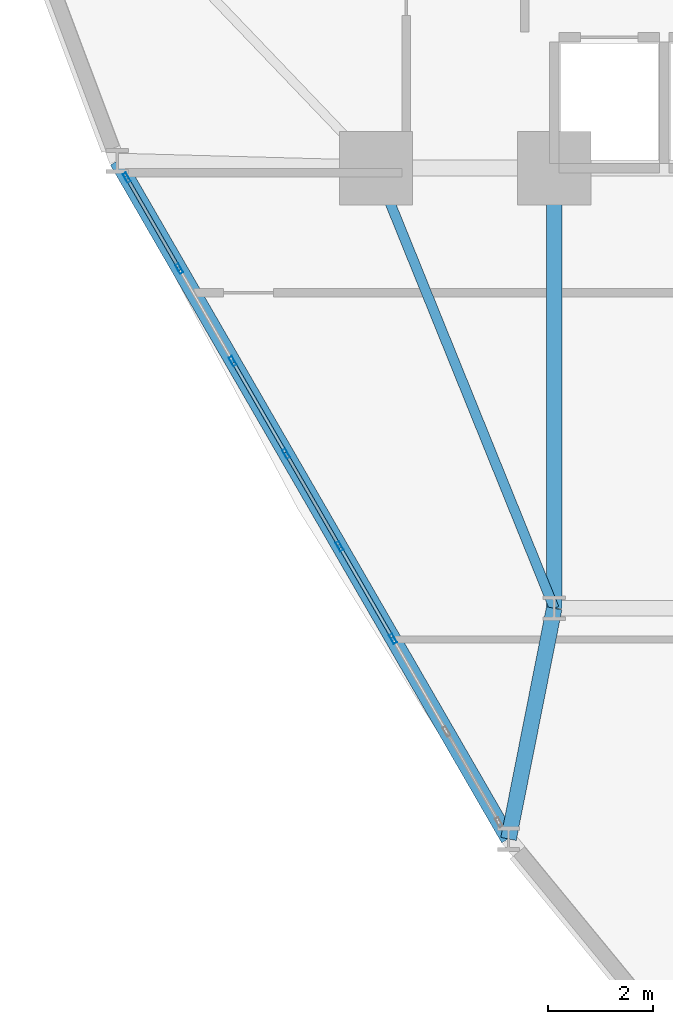
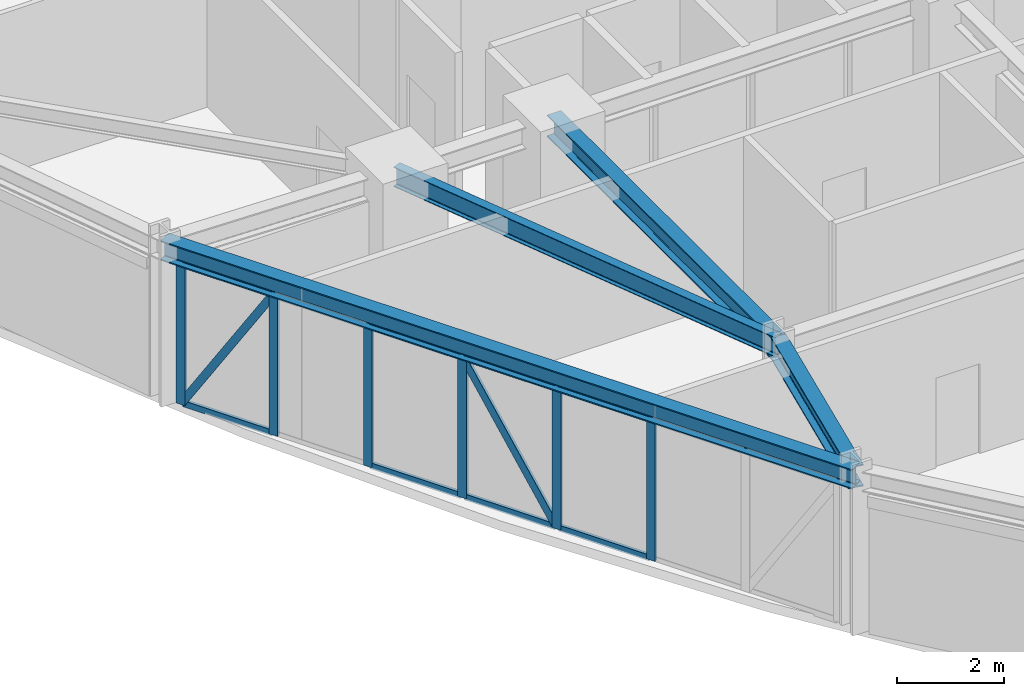
# One storey, part 4 of 20: 16 members, 4 beams, 1 element without a shape of its own.
"""IFC4 building model written with IfcOpenShell, lengths in metres."""

from ifc_helpers import new_model, si_unit, derived_unit, direction, frame, origin, origin_2d, place, context, subcontext, project, spatial, hollow_rectangle, i_section, extrude, source, transform, mapped, material, layer, layer_set, material_profile, profile_set, type_object, element, aggregate, save


model = new_model("IFC4")

# Units and contexts
model_context = context("Model", 3, precision=1e-05, world=origin(), true_north=direction((0.0, 1.0)))
body_context = subcontext(model_context, "Body", "Model", "MODEL_VIEW")
ifc_project = project(units=[si_unit("LENGTHUNIT", "METRE"), si_unit("AREAUNIT", "SQUARE_METRE"), si_unit("VOLUMEUNIT", "CUBIC_METRE"), si_unit("PLANEANGLEUNIT", "RADIAN"), si_unit("MASSUNIT", "GRAM", prefix="KILO"), derived_unit("THERMALTRANSMITTANCEUNIT", [(si_unit("POWERUNIT", "WATT"), 1), (si_unit("LENGTHUNIT", "METRE"), -2), (si_unit("THERMODYNAMICTEMPERATUREUNIT", "KELVIN"), -1)])], contexts=[model_context])

# Site, building, storey
site_placement = place(None, origin())
site = spatial("IfcSite", under=ifc_project, at=site_placement, CompositionType="ELEMENT")
building_placement = place(site_placement, origin())
building = spatial("IfcBuilding", under=site, at=building_placement, Name="Korsvarv Bourse and Concert Hall", CompositionType="ELEMENT")
storey_placement = place(building_placement, frame((0.0, 0.0, 79.5)))
storey = spatial("IfcBuildingStorey", under=building, at=storey_placement, Name="L19", CompositionType="ELEMENT", Elevation=79.5)

# Beams
ifc_material_1 = material(Name="Steel S355", Category="steel")
ifc_material_profile_1 = material_profile(ifc_material_1, i_section(OverallWidth=0.300048828125, OverallDepth=0.5, WebThickness=0.014404296875, FlangeThickness=0.028076171875, FilletRadius=0.02392578125, at=origin_2d()), Name="HEB 500")
ifc_profile_set_1 = profile_set([ifc_material_profile_1], Name="Steel S355")
beam_type_1 = type_object("IfcBeamType", Name="BM-HEB500", PredefinedType="BEAM", material=ifc_profile_set_1)
shared_shape_1 = source(origin(), body_context, "Body", "SweptSolid", [
    extrude(i_section(OverallWidth=0.300048828125, OverallDepth=0.5, WebThickness=0.014404296875, FlangeThickness=0.028076171875, FilletRadius=0.02392578125, at=origin_2d()), origin(), (0.0, 0.0, 1.0), 8.39990234375),
])
beam_1_placement = place(storey_placement, frame((27.60009765625, 24.0, 3.429931640625), z_axis=(0.0, 1.0, 0.0), x_axis=(-1.0, 0.0, 0.0)))
element("IfcBeam", 1, at=beam_1_placement, inside=storey, type_object=beam_type_1, Name="L19 beam B-07", PredefinedType="BEAM", context=body_context, shape_type="MappedRepresentation", body=[
    mapped(shared_shape_1, transform((0.0, 0.0, 0.0), scale=1.0)),
])
ifc_material_profile_2 = material_profile(ifc_material_1, i_section(OverallWidth=0.18994140625, OverallDepth=0.449951171875, WebThickness=0.009521484375, FlangeThickness=0.0146484375, FilletRadius=0.02099609375, at=origin_2d()), Name="IPE 450")
ifc_profile_set_2 = profile_set([ifc_material_profile_2], Name="Steel S355")
beam_type_2 = type_object("IfcBeamType", Name="BM-IPE450", PredefinedType="JOIST", material=ifc_profile_set_2)
shared_shape_2 = source(origin(), body_context, "Body", "SweptSolid", [
    extrude(i_section(OverallWidth=0.18994140625, OverallDepth=0.449951171875, WebThickness=0.009521484375, FlangeThickness=0.0146484375, FilletRadius=0.02099609375, at=origin_2d()), origin(), (0.0, 0.0, 1.0), 9.06201171875),
])
beam_2_placement = place(storey_placement, frame((24.199951171875, 32.39990234375, 3.455078125), z_axis=(0.375210394783, -0.926939674222, 0.0), x_axis=(0.926939674222, 0.375210394783, 0.0)))
element("IfcBeam", 2, at=beam_2_placement, inside=storey, type_object=beam_type_2, Name="L19 beam J-04", PredefinedType="JOIST", context=body_context, shape_type="MappedRepresentation", body=[
    mapped(shared_shape_2, transform((0.0, 0.0, 0.0), scale=1.0)),
])
ifc_material_profile_3 = material_profile(ifc_material_1, i_section(OverallWidth=0.300048828125, OverallDepth=0.449951171875, WebThickness=0.013916015625, FlangeThickness=0.02587890625, FilletRadius=0.02099609375, at=origin_2d()), Name="HEB 450")
ifc_profile_set_3 = profile_set([ifc_material_profile_3], Name="Steel S355")
beam_type_3 = type_object("IfcBeamType", Name="BM-HEB450", PredefinedType="SPANDREL", material=ifc_profile_set_3)
shared_shape_3 = source(origin(), body_context, "Body", "SweptSolid", [
    extrude(i_section(OverallWidth=0.300048828125, OverallDepth=0.449951171875, WebThickness=0.013916015625, FlangeThickness=0.02587890625, FilletRadius=0.02099609375, at=origin_2d()), origin(), (0.0, 0.0, 1.0), 14.937255859375),
])
beam_3_placement = place(storey_placement, frame((19.259765625, 32.5341796875, 3.455078125), z_axis=(0.500006357572, -0.866021733208, 0.0), x_axis=(0.866021733208, 0.500006357572, 0.0)))
element("IfcBeam", 3, at=beam_3_placement, inside=storey, type_object=beam_type_3, Name="L19 beam B-08", PredefinedType="SPANDREL", context=body_context, shape_type="MappedRepresentation", body=[
    mapped(shared_shape_3, transform((0.0, 0.0, 0.0), scale=1.0)),
])
shared_shape_4 = source(origin(), body_context, "Body", "SweptSolid", [
    extrude(i_section(OverallWidth=0.300048828125, OverallDepth=0.5, WebThickness=0.014404296875, FlangeThickness=0.028076171875, FilletRadius=0.02392578125, at=origin_2d()), origin(), (0.0, 0.0, 1.0), 4.4873046875),
])
beam_4_placement = place(storey_placement, frame((26.728515625, 19.59814453125, 3.429931640625), z_axis=(0.194232459341, 0.980955529949, 0.0), x_axis=(-0.980955529949, 0.194232459341, 0.0)))
element("IfcBeam", 4, at=beam_4_placement, inside=storey, type_object=beam_type_1, Name="L19 beam B-07", PredefinedType="BEAM", context=body_context, shape_type="MappedRepresentation", body=[
    mapped(shared_shape_4, transform((0.0, 0.0, 0.0), scale=1.0)),
])

# Curtain wall, members
ifc_material_2 = material(Name="Anodised aluminium and triple low-E glazing", Category="glass")
ifc_layer = layer(ifc_material_2, 0.219970703125)
ifc_layer_set = layer_set([ifc_layer], Name="Anodised aluminium and triple low-E glazing")
curtain_wall_type = type_object("IfcCurtainWallType", Name="CW-SYS-1", PredefinedType="NOTDEFINED", material=ifc_layer_set)
curtain_wall_placement = place(storey_placement, origin())
curtain_wall = element("IfcCurtainWall", 5, at=curtain_wall_placement, inside=storey, type_object=curtain_wall_type, Name="L19 CW1 curtain wall CW-L19-F07", PredefinedType="NOTDEFINED")
ifc_material_3 = material(Name="Extruded aluminium EN AW-6063 T66", Category="aluminium")
ifc_material_profile_4 = material_profile(ifc_material_3, hollow_rectangle(XDim=0.070068359375, YDim=0.18994140625, WallThickness=0.0048828125, at=origin_2d()), Name="ALU-M 70x190")
ifc_profile_set_4 = profile_set([ifc_material_profile_4], Name="Extruded aluminium EN AW-6063 T66")
member_type_1 = type_object("IfcMemberType", Name="CWM-190", PredefinedType="MULLION", material=ifc_profile_set_4)
shared_shape_5 = source(origin(), body_context, "Body", "SweptSolid", [
    extrude(hollow_rectangle(XDim=0.070068359375, YDim=0.18994140625, WallThickness=0.0048828125, at=origin_2d()), origin(), (0.0, 0.0, 1.0), 3.22998046875),
])
member_1_placement = place(storey_placement, frame((19.44287109375, 32.216796875, 0.0), z_axis=(0.0, 0.0, 1.0), x_axis=(0.866024243871, 0.500002009023, 0.0)))
member_1 = element("IfcMember", 6, at=member_1_placement, type_object=member_type_1, Name="CW1 mullion 1", PredefinedType="MULLION", context=body_context, shape_type="MappedRepresentation", body=[
    mapped(shared_shape_5, transform((0.0, 0.0, 0.0), scale=1.0)),
])
member_2_placement = place(storey_placement, frame((20.445068359375, 30.481201171875, 0.0), z_axis=(0.0, 0.0, 1.0), x_axis=(0.866024243871, 0.500002009023, 0.0)))
member_2 = element("IfcMember", 7, at=member_2_placement, type_object=member_type_1, Name="CW1 mullion 2", PredefinedType="MULLION", context=body_context, shape_type="MappedRepresentation", body=[
    mapped(shared_shape_5, transform((0.0, 0.0, 0.0), scale=1.0)),
])
member_3_placement = place(storey_placement, frame((21.464599609375, 28.715087890625, 0.0), z_axis=(0.0, 0.0, 1.0), x_axis=(0.866024243871, 0.500002009023, 0.0)))
member_3 = element("IfcMember", 8, at=member_3_placement, type_object=member_type_1, Name="CW1 mullion 3", PredefinedType="MULLION", context=body_context, shape_type="MappedRepresentation", body=[
    mapped(shared_shape_5, transform((0.0, 0.0, 0.0), scale=1.0)),
])
member_4_placement = place(storey_placement, frame((22.484130859375, 26.94921875, 0.0), z_axis=(0.0, 0.0, 1.0), x_axis=(0.866024243871, 0.500002009023, 0.0)))
member_4 = element("IfcMember", 9, at=member_4_placement, type_object=member_type_1, Name="CW1 mullion 4", PredefinedType="MULLION", context=body_context, shape_type="MappedRepresentation", body=[
    mapped(shared_shape_5, transform((0.0, 0.0, 0.0), scale=1.0)),
])
member_5_placement = place(storey_placement, frame((23.50390625, 25.18310546875, 0.0), z_axis=(0.0, 0.0, 1.0), x_axis=(0.866024243871, 0.500002009023, 0.0)))
member_5 = element("IfcMember", 10, at=member_5_placement, type_object=member_type_1, Name="CW1 mullion 5", PredefinedType="MULLION", context=body_context, shape_type="MappedRepresentation", body=[
    mapped(shared_shape_5, transform((0.0, 0.0, 0.0), scale=1.0)),
])
member_6_placement = place(storey_placement, frame((24.5234375, 23.417236328125, 0.0), z_axis=(0.0, 0.0, 1.0), x_axis=(0.866024243871, 0.500002009023, 0.0)))
member_6 = element("IfcMember", 11, at=member_6_placement, type_object=member_type_1, Name="CW1 mullion 6", PredefinedType="MULLION", context=body_context, shape_type="MappedRepresentation", body=[
    mapped(shared_shape_5, transform((0.0, 0.0, 0.0), scale=1.0)),
])
ifc_material_profile_5 = material_profile(ifc_material_3, hollow_rectangle(XDim=0.06494140625, YDim=0.139892578125, WallThickness=0.00390625, at=origin_2d()), Name="ALU-T 65x140")
ifc_profile_set_5 = profile_set([ifc_material_profile_5], Name="Extruded aluminium EN AW-6063 T66")
member_type_2 = type_object("IfcMemberType", Name="CWT-140", PredefinedType="USERDEFINED", material=ifc_profile_set_5)
shared_shape_6 = source(origin(), body_context, "Body", "SweptSolid", [
    extrude(hollow_rectangle(XDim=0.06494140625, YDim=0.139892578125, WallThickness=0.00390625, at=origin_2d()), origin(), (0.0, 0.0, 1.0), 1.93408203125),
])
member_7_placement = place(storey_placement, frame((19.46044921875, 32.1865234375, 0.032470703125), z_axis=(0.499981047344, -0.866036345829, 0.0), x_axis=(0.866036345829, 0.499981047344, 0.0)))
member_7 = element("IfcMember", 12, at=member_7_placement, type_object=member_type_2, Name="CW1 transom 1.1", ObjectType="TRANSOM", PredefinedType="USERDEFINED", context=body_context, shape_type="MappedRepresentation", body=[
    mapped(shared_shape_6, transform((0.0, 0.0, 0.0), scale=1.0)),
])
member_8_placement = place(storey_placement, frame((19.46044921875, 32.1865234375, 3.197509765625), z_axis=(0.499981047344, -0.866036345829, 0.0), x_axis=(0.866036345829, 0.499981047344, 0.0)))
member_8 = element("IfcMember", 13, at=member_8_placement, type_object=member_type_2, Name="CW1 transom 1.2", ObjectType="TRANSOM", PredefinedType="USERDEFINED", context=body_context, shape_type="MappedRepresentation", body=[
    mapped(shared_shape_6, transform((0.0, 0.0, 0.0), scale=1.0)),
])
shared_shape_7 = source(origin(), body_context, "Body", "SweptSolid", [
    extrude(hollow_rectangle(XDim=0.06494140625, YDim=0.139892578125, WallThickness=0.00390625, at=origin_2d()), origin(), (0.0, 0.0, 1.0), 1.969482421875),
])
member_9_placement = place(storey_placement, frame((22.501708984375, 26.9189453125, 0.032470703125), z_axis=(0.499965693083, -0.866045209986, 0.0), x_axis=(0.866045209986, 0.499965693083, 0.0)))
member_9 = element("IfcMember", 14, at=member_9_placement, type_object=member_type_2, Name="CW1 transom 4.1", ObjectType="TRANSOM", PredefinedType="USERDEFINED", context=body_context, shape_type="MappedRepresentation", body=[
    mapped(shared_shape_7, transform((0.0, 0.0, 0.0), scale=1.0)),
])
member_10_placement = place(storey_placement, frame((22.501708984375, 26.9189453125, 3.197509765625), z_axis=(0.499965693083, -0.866045209986, 0.0), x_axis=(0.866045209986, 0.499965693083, 0.0)))
member_10 = element("IfcMember", 15, at=member_10_placement, type_object=member_type_2, Name="CW1 transom 4.2", ObjectType="TRANSOM", PredefinedType="USERDEFINED", context=body_context, shape_type="MappedRepresentation", body=[
    mapped(shared_shape_7, transform((0.0, 0.0, 0.0), scale=1.0)),
])
shared_shape_8 = source(origin(), body_context, "Body", "SweptSolid", [
    extrude(hollow_rectangle(XDim=0.06494140625, YDim=0.139892578125, WallThickness=0.00390625, at=origin_2d()), origin(), (0.0, 0.0, 1.0), 1.96923828125),
])
member_11_placement = place(storey_placement, frame((21.482177734375, 28.684814453125, 0.032470703125), z_axis=(0.500019375444, -0.866014217078, 0.0), x_axis=(0.866014217078, 0.500019375444, 0.0)))
member_11 = element("IfcMember", 16, at=member_11_placement, type_object=member_type_2, Name="CW1 transom 3.1", ObjectType="TRANSOM", PredefinedType="USERDEFINED", context=body_context, shape_type="MappedRepresentation", body=[
    mapped(shared_shape_8, transform((0.0, 0.0, 0.0), scale=1.0)),
])
member_12_placement = place(storey_placement, frame((21.482177734375, 28.684814453125, 3.197509765625), z_axis=(0.500019375444, -0.866014217078, 0.0), x_axis=(0.866014217078, 0.500019375444, 0.0)))
member_12 = element("IfcMember", 17, at=member_12_placement, type_object=member_type_2, Name="CW1 transom 3.2", ObjectType="TRANSOM", PredefinedType="USERDEFINED", context=body_context, shape_type="MappedRepresentation", body=[
    mapped(shared_shape_8, transform((0.0, 0.0, 0.0), scale=1.0)),
])
member_13_placement = place(storey_placement, frame((23.521240234375, 25.15283203125, 0.032470703125), z_axis=(0.500019375444, -0.866014217078, 0.0), x_axis=(0.866014217078, 0.500019375444, 0.0)))
member_13 = element("IfcMember", 18, at=member_13_placement, type_object=member_type_2, Name="CW1 transom 5.1", ObjectType="TRANSOM", PredefinedType="USERDEFINED", context=body_context, shape_type="MappedRepresentation", body=[
    mapped(shared_shape_8, transform((0.0, 0.0, 0.0), scale=1.0)),
])
member_14_placement = place(storey_placement, frame((23.521240234375, 25.15283203125, 3.197509765625), z_axis=(0.500019375444, -0.866014217078, 0.0), x_axis=(0.866014217078, 0.500019375444, 0.0)))
member_14 = element("IfcMember", 19, at=member_14_placement, type_object=member_type_2, Name="CW1 transom 5.2", ObjectType="TRANSOM", PredefinedType="USERDEFINED", context=body_context, shape_type="MappedRepresentation", body=[
    mapped(shared_shape_8, transform((0.0, 0.0, 0.0), scale=1.0)),
])
ifc_material_profile_6 = material_profile(ifc_material_3, hollow_rectangle(XDim=0.06494140625, YDim=0.1650390625, WallThickness=0.0048828125, at=origin_2d()), Name="ALU-M 65x165")
ifc_profile_set_6 = profile_set([ifc_material_profile_6], Name="Extruded aluminium EN AW-6063 T66")
member_type_3 = type_object("IfcMemberType", Name="CWM-165", PredefinedType="MULLION", material=ifc_profile_set_6)
shared_shape_9 = source(origin(), body_context, "Body", "SweptSolid", [
    extrude(hollow_rectangle(XDim=0.06494140625, YDim=0.1650390625, WallThickness=0.0048828125, at=origin_2d()), origin(), (0.0, 0.0, 1.0), 3.654052734375),
])
member_15_placement = place(storey_placement, frame((19.46044921875, 32.1865234375, 0.06494140625), z_axis=(0.26465423614, -0.458417751618, 0.84841693777), x_axis=(0.866036345829, 0.499981047344, 0.0)))
member_15 = element("IfcMember", 20, at=member_15_placement, type_object=member_type_3, Name="CW1 diagonal mullion 1", PredefinedType="MULLION", context=body_context, shape_type="MappedRepresentation", body=[
    mapped(shared_shape_9, transform((0.0, 0.0, 0.0), scale=1.0)),
])
shared_shape_10 = source(origin(), body_context, "Body", "SweptSolid", [
    extrude(hollow_rectangle(XDim=0.06494140625, YDim=0.1650390625, WallThickness=0.0048828125, at=origin_2d()), origin(), (0.0, 0.0, 1.0), 3.6728515625),
])
member_16_placement = place(storey_placement, frame((23.486328125, 25.21337890625, 0.06494140625), z_axis=(-0.268088262192, 0.464384973884, 0.844082507641), x_axis=(-0.866045209986, -0.499965693083, 0.0)))
member_16 = element("IfcMember", 21, at=member_16_placement, type_object=member_type_3, Name="CW1 diagonal mullion 4", PredefinedType="MULLION", context=body_context, shape_type="MappedRepresentation", body=[
    mapped(shared_shape_10, transform((0.0, 0.0, 0.0), scale=1.0)),
])
aggregate(curtain_wall, [member_1, member_2, member_3, member_4, member_5, member_6, member_7, member_8, member_15, member_11, member_12, member_9, member_10, member_16, member_13, member_14])

save(model, "model.ifc")
